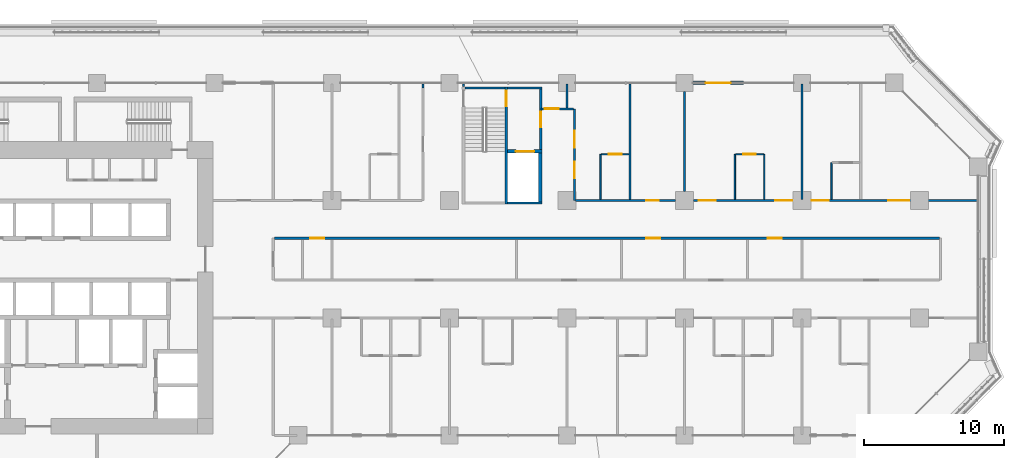
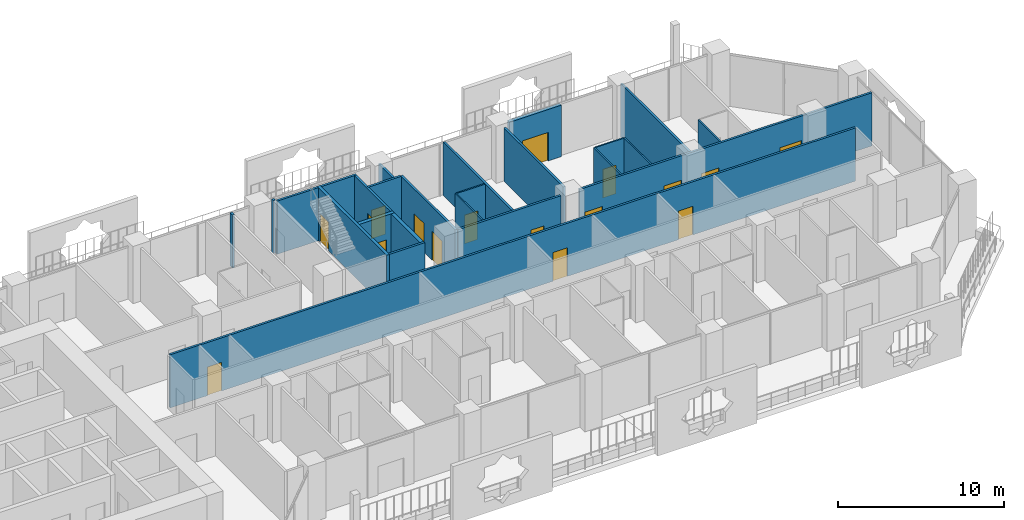
# One storey, part 19 of 29: 25 walls, 17 doors, 17 openings.
"""IFC4 building model written with IfcOpenShell, lengths in metres."""

from ifc_helpers import new_model, si_unit, direction, frame, frame_2d, origin, place, context, subcontext, project, spatial, rectangle, extrude, material, layer, layer_set, type_object, element, fill, save


model = new_model("IFC4")

# Units and contexts
model_context = context("Model", 3, precision=1e-05, world=origin(), true_north=direction((0.0, 1.0)))
body_context = subcontext(model_context, "Body", "Model", "MODEL_VIEW")
ifc_project = project(units=[si_unit("LENGTHUNIT", "METRE"), si_unit("AREAUNIT", "SQUARE_METRE"), si_unit("VOLUMEUNIT", "CUBIC_METRE"), si_unit("PLANEANGLEUNIT", "RADIAN"), si_unit("MASSUNIT", "GRAM", prefix="KILO")], contexts=[model_context])

# Site, building, storey
site_placement = place(None, origin())
site = spatial("IfcSite", under=ifc_project, at=site_placement, CompositionType="ELEMENT")
building_placement = place(site_placement, origin())
building = spatial("IfcBuilding", under=site, at=building_placement, Name="Kawkab Arch Medical Tower", CompositionType="ELEMENT")
storey_placement = place(building_placement, frame((0.0, 0.0, 64.39990234375)))
storey = spatial("IfcBuildingStorey", under=building, at=storey_placement, Name="L14", CompositionType="ELEMENT", Elevation=64.39990234375)

# Wall, opening, door
ifc_material_1 = material(Name="Gypsum board on steel studs", Category="steel")
ifc_layer_1 = layer(ifc_material_1, 0.14990234375)
ifc_layer_set_1 = layer_set([ifc_layer_1], Name="Gypsum board on steel studs")
wall_type_1 = type_object("IfcWallType", Name="Core room partition 150", PredefinedType="PARTITIONING", material=ifc_layer_set_1)
wall_1_placement = place(storey_placement, frame((48.52490234375, -4.77490234375, 0.0), z_axis=(0.0, 0.0, 1.0), x_axis=(0.0, 1.0, 0.0)))
wall_1 = element("IfcWall", 1, at=wall_1_placement, inside=storey, type_object=wall_type_1, Name="L14 core room partition", PredefinedType="PARTITIONING", context=body_context, shape_type="SweptSolid", body=[
    extrude(rectangle(XDim=4.324951171875, YDim=0.14990234375, at=frame_2d((2.16259765625, 0.0))), origin(), (0.0, 0.0, 1.0), 3.900146484375),
])
opening_1_placement = place(wall_1_placement, frame((1.625, 0.0, 0.0)))
opening_1 = element("IfcOpeningElement", 2, at=opening_1_placement, cuts=wall_1, Name="Opening FD", PredefinedType="OPENING", context=body_context, shape_type="SweptSolid", body=[
    extrude(rectangle(XDim=1.10009765625, YDim=2.10009765625, at=frame_2d((0.550048828125, 1.050048828125))), frame((0.0, 0.0849609375, 0.0), z_axis=(0.0, -1.0, 0.0), x_axis=(1.0, 0.0, 0.0)), (0.0, 0.0, 1.0), 0.169921875),
])
ifc_material_2 = material(Name="Hollow metal fire door leaf")
door_type_1 = type_object("IfcDoorType", Name="Firefighting lobby door 1100", OperationType="SINGLE_SWING_LEFT", PredefinedType="DOOR", material=ifc_material_2)
door_1_placement = place(opening_1_placement, origin())
door_1 = element("IfcDoor", 3, at=door_1_placement, inside=storey, type_object=door_type_1, Name="L14 Service lift lobby door SV1", OperationType="SINGLE_SWING_LEFT", OverallHeight=2.10009765625, OverallWidth=1.10009765625, PredefinedType="DOOR", context=body_context, shape_type="SweptSolid", body=[
    extrude(rectangle(XDim=1.10009765625, YDim=2.10009765625, at=frame_2d((0.550048828125, 1.050048828125))), frame((0.0, 0.02490234375, 0.0), z_axis=(0.0, -1.0, 0.0), x_axis=(1.0, 0.0, 0.0)), (0.0, 0.0, 1.0), 0.050048828125),
])
fill(opening_1, door_1)

ifc_material_3 = material(Name="Concrete C60/75", Category="concrete")
ifc_layer_2 = layer(ifc_material_3, 0.25)
ifc_layer_set_2 = layer_set([ifc_layer_2], Name="Concrete C60/75")
wall_type_2 = type_object("IfcWallType", Name="Core shear wall 250 C60/75", PredefinedType="SHEAR", material=ifc_layer_set_2)
wall_2_placement = place(storey_placement, frame((46.14990234375, -4.89990234375, 0.0), z_axis=(0.0, 0.0, 1.0), x_axis=(1.0, 0.0, 0.0)))
wall_2 = element("IfcWall", 4, at=wall_2_placement, inside=storey, type_object=wall_type_2, Name="L14 core shear wall", PredefinedType="SHEAR", context=body_context, shape_type="SweptSolid", body=[
    extrude(rectangle(XDim=2.4501953125, YDim=0.25, at=frame_2d((1.22509765625, 0.0))), origin(), (0.0, 0.0, 1.0), 3.900146484375),
])
opening_2_placement = place(wall_2_placement, frame((0.60009765625, 0.0, 0.0)))
opening_2 = element("IfcOpeningElement", 5, at=opening_2_placement, cuts=wall_2, Name="Opening LD2", PredefinedType="OPENING", context=body_context, shape_type="SweptSolid", body=[
    extrude(rectangle(XDim=1.300048828125, YDim=2.10009765625, at=frame_2d((0.64990234375, 1.050048828125))), frame((0.0, 0.135009765625, 0.0), z_axis=(0.0, -1.0, 0.0), x_axis=(1.0, 0.0, 0.0)), (0.0, 0.0, 1.0), 0.27001953125),
])
ifc_material_4 = material(Name="Stainless steel lift door leaf", Category="steel")
door_type_2 = type_object("IfcDoorType", Name="Lift landing door 1300", OperationType="DOUBLE_DOOR_SLIDING", PredefinedType="DOOR", material=ifc_material_4)
door_2_placement = place(opening_2_placement, origin())
door_2 = element("IfcDoor", 6, at=door_2_placement, inside=storey, type_object=door_type_2, Name="L14 Lift landing door SV1", OperationType="DOUBLE_DOOR_SLIDING", OverallHeight=2.10009765625, OverallWidth=1.300048828125, PredefinedType="DOOR", context=body_context, shape_type="SweptSolid", body=[
    extrude(rectangle(XDim=1.300048828125, YDim=2.10009765625, at=frame_2d((0.64990234375, 1.050048828125))), frame((0.0, 0.02490234375, 0.0), z_axis=(0.0, -1.0, 0.0), x_axis=(1.0, 0.0, 0.0)), (0.0, 0.0, 1.0), 0.050048828125),
])
fill(opening_2, door_2)

# Wall
wall_3_placement = place(storey_placement, frame((48.47509765625, -8.5, 0.0), z_axis=(0.0, 0.0, 1.0), x_axis=(0.0, 1.0, 0.0)))
element("IfcWall", 7, at=wall_3_placement, inside=storey, type_object=wall_type_2, Name="L14 core shear wall", PredefinedType="SHEAR", context=body_context, shape_type="SweptSolid", body=[
    extrude(rectangle(XDim=3.47509765625, YDim=0.25, at=frame_2d((1.737548828125, 0.0))), origin(), (0.0, 0.0, 1.0), 3.900146484375),
])

# Wall, opening, door
ifc_material_5 = material(Name="Bronze clad insulated wall panel")
ifc_layer_3 = layer(ifc_material_5, 0.25)
ifc_layer_set_3 = layer_set([ifc_layer_3], Name="Bronze clad insulated wall panel")
wall_type_3 = type_object("IfcWallType", Name="External wall bay 250", PredefinedType="SOLIDWALL", material=ifc_layer_set_3)
wall_4_placement = place(storey_placement, frame((63.0, 0.0, 0.0), z_axis=(0.0, 0.0, 1.0), x_axis=(-1.0, 0.0, 0.0)))
wall_4 = element("IfcWall", 8, at=wall_4_placement, inside=storey, type_object=wall_type_3, Name="External wall bay L14.R11.2.2", PredefinedType="SOLIDWALL", context=body_context, shape_type="SweptSolid", body=[
    extrude(rectangle(XDim=3.60009765625, YDim=0.25, at=frame_2d((1.800048828125, 0.0))), origin(), (0.0, 0.0, 1.0), 3.780029296875),
])
opening_3_placement = place(wall_4_placement, frame((0.89990234375, 0.0, 0.0)))
opening_3 = element("IfcOpeningElement", 9, at=opening_3_placement, cuts=wall_4, Name="Opening W14-702", PredefinedType="OPENING", context=body_context, shape_type="SweptSolid", body=[
    extrude(rectangle(XDim=1.800048828125, YDim=2.10009765625, at=frame_2d((0.89990234375, 1.050048828125))), frame((0.0, 0.135009765625, 0.0), z_axis=(0.0, -1.0, 0.0), x_axis=(1.0, 0.0, 0.0)), (0.0, 0.0, 1.0), 0.27001953125),
])
ifc_material_6 = material(Name="Bronze anodised aluminium door with tinted glass", Category="aluminium")
door_type_3 = type_object("IfcDoorType", Name="Double external door 1800 x 2100", OperationType="DOUBLE_DOOR_SINGLE_SWING", PredefinedType="DOOR", material=ifc_material_6)
door_3_placement = place(opening_3_placement, origin())
door_3 = element("IfcDoor", 10, at=door_3_placement, inside=storey, type_object=door_type_3, Name="External door L14.R11.2.2", OperationType="DOUBLE_DOOR_SINGLE_SWING", OverallHeight=2.10009765625, OverallWidth=1.800048828125, PredefinedType="DOOR", context=body_context, shape_type="SweptSolid", body=[
    extrude(rectangle(XDim=1.800048828125, YDim=2.10009765625, at=frame_2d((0.89990234375, 1.050048828125))), frame((0.0, 0.02490234375, 0.0), z_axis=(0.0, -1.0, 0.0), x_axis=(1.0, 0.0, 0.0)), (0.0, 0.0, 1.0), 0.050048828125),
])
fill(opening_3, door_3)

ifc_material_7 = material(Name="Gypsum board partition on steel studs", Category="steel")
ifc_layer_4 = layer(ifc_material_7, 0.10009765625)
ifc_layer_set_4 = layer_set([ifc_layer_4], Name="Gypsum board partition on steel studs")
wall_type_4 = type_object("IfcWallType", Name="Partition 100", PredefinedType="PARTITIONING", material=ifc_layer_set_4)
wall_5_placement = place(storey_placement, frame((52.85009765625, -5.10009765625, 0.0), z_axis=(0.0, 0.0, 1.0), x_axis=(1.0, 0.0, 0.0)))
wall_5 = element("IfcWall", 11, at=wall_5_placement, inside=storey, type_object=wall_type_4, Name="Partition 100 w017", PredefinedType="PARTITIONING", context=body_context, shape_type="SweptSolid", body=[
    extrude(rectangle(XDim=1.974853515625, YDim=0.10009765625, at=frame_2d((0.9873046875, 0.0))), origin(), (0.0, 0.0, 1.0), 3.900146484375),
])
opening_4_placement = place(wall_5_placement, frame((0.550048828125, 0.0, 0.0)))
opening_4 = element("IfcOpeningElement", 12, at=opening_4_placement, cuts=wall_5, Name="Opening W14-007", PredefinedType="OPENING", context=body_context, shape_type="SweptSolid", body=[
    extrude(rectangle(XDim=0.89990234375, YDim=2.10009765625, at=frame_2d((0.449951171875, 1.050048828125))), frame((0.0, 0.06005859375, 0.0), z_axis=(0.0, -1.0, 0.0), x_axis=(1.0, 0.0, 0.0)), (0.0, 0.0, 1.0), 0.1201171875),
])
ifc_material_8 = material(Name="Timber door leaf", Category="wood")
door_type_4 = type_object("IfcDoorType", Name="Single door 900x2100", OperationType="NOTDEFINED", PredefinedType="DOOR", material=ifc_material_8)
door_4_placement = place(opening_4_placement, origin())
door_4 = element("IfcDoor", 13, at=door_4_placement, inside=storey, type_object=door_type_4, Name="Door W14-007", OperationType="SINGLE_SWING_LEFT", OverallHeight=2.10009765625, OverallWidth=0.89990234375, PredefinedType="DOOR", context=body_context, shape_type="SweptSolid", body=[
    extrude(rectangle(XDim=0.89990234375, YDim=2.10009765625, at=frame_2d((0.449951171875, 1.050048828125))), frame((0.0, 0.02490234375, 0.0), z_axis=(0.0, -1.0, 0.0), x_axis=(1.0, 0.0, 0.0)), (0.0, 0.0, 1.0), 0.050048828125),
])
fill(opening_4, door_4)

wall_6_placement = place(storey_placement, frame((62.451904296875, -5.10009765625, 0.0), z_axis=(0.0, 0.0, 1.0), x_axis=(1.0, 0.0, 0.0)))
wall_6 = element("IfcWall", 14, at=wall_6_placement, inside=storey, type_object=wall_type_4, Name="Partition 100 w018", PredefinedType="PARTITIONING", context=body_context, shape_type="SweptSolid", body=[
    extrude(rectangle(XDim=1.99609375, YDim=0.10009765625, at=frame_2d((0.998046875, 0.0))), origin(), (0.0, 0.0, 1.0), 3.900146484375),
])
opening_5_placement = place(wall_6_placement, frame((0.548095703125, 0.0, 0.0)))
opening_5 = element("IfcOpeningElement", 15, at=opening_5_placement, cuts=wall_6, Name="Opening W14-009", PredefinedType="OPENING", context=body_context, shape_type="SweptSolid", body=[
    extrude(rectangle(XDim=0.89990234375, YDim=2.10009765625, at=frame_2d((0.449951171875, 1.050048828125))), frame((0.0, 0.06005859375, 0.0), z_axis=(0.0, -1.0, 0.0), x_axis=(1.0, 0.0, 0.0)), (0.0, 0.0, 1.0), 0.1201171875),
])
door_5_placement = place(opening_5_placement, origin())
door_5 = element("IfcDoor", 16, at=door_5_placement, inside=storey, type_object=door_type_4, Name="Door W14-009", OperationType="SINGLE_SWING_LEFT", OverallHeight=2.10009765625, OverallWidth=0.89990234375, PredefinedType="DOOR", context=body_context, shape_type="SweptSolid", body=[
    extrude(rectangle(XDim=0.89990234375, YDim=2.10009765625, at=frame_2d((0.449951171875, 1.050048828125))), frame((0.0, 0.02490234375, 0.0), z_axis=(0.0, -1.0, 0.0), x_axis=(1.0, 0.0, 0.0)), (0.0, 0.0, 1.0), 0.050048828125),
])
fill(opening_5, door_5)

# Walls
wall_7_placement = place(storey_placement, frame((52.800048828125, -8.324951171875, 0.0), z_axis=(0.0, 0.0, 1.0), x_axis=(0.0, 1.0, 0.0)))
element("IfcWall", 17, at=wall_7_placement, inside=storey, type_object=wall_type_4, Name="Partition 100 w032", PredefinedType="PARTITIONING", context=body_context, shape_type="SweptSolid", body=[
    extrude(rectangle(XDim=3.224853515625, YDim=0.10009765625, at=frame_2d((1.6123046875, 0.0))), origin(), (0.0, 0.0, 1.0), 3.900146484375),
])
wall_8_placement = place(storey_placement, frame((62.39990234375, -8.324951171875, 0.0), z_axis=(0.0, 0.0, 1.0), x_axis=(0.0, 1.0, 0.0)))
element("IfcWall", 18, at=wall_8_placement, inside=storey, type_object=wall_type_4, Name="Partition 100 w035", PredefinedType="PARTITIONING", context=body_context, shape_type="SweptSolid", body=[
    extrude(rectangle(XDim=3.223876953125, YDim=0.10009765625, at=frame_2d((1.61181640625, 0.0))), origin(), (0.0, 0.0, 1.0), 3.900146484375),
])
wall_9_placement = place(storey_placement, frame((64.5, -8.324951171875, 0.0), z_axis=(0.0, 0.0, 1.0), x_axis=(0.0, 1.0, 0.0)))
element("IfcWall", 19, at=wall_9_placement, inside=storey, type_object=wall_type_4, Name="Partition 100 w036", PredefinedType="PARTITIONING", context=body_context, shape_type="SweptSolid", body=[
    extrude(rectangle(XDim=3.222900390625, YDim=0.10009765625, at=frame_2d((1.611328125, 0.0))), origin(), (0.0, 0.0, 1.0), 3.900146484375),
])
wall_10_placement = place(storey_placement, frame((69.300048828125, -8.324951171875, 0.0), z_axis=(0.0, 0.0, 1.0), x_axis=(0.0, 1.0, 0.0)))
element("IfcWall", 20, at=wall_10_placement, inside=storey, type_object=wall_type_4, Name="Partition 100 w038", PredefinedType="PARTITIONING", context=body_context, shape_type="SweptSolid", body=[
    extrude(rectangle(XDim=2.625, YDim=0.10009765625, at=frame_2d((1.3125, 0.0))), origin(), (0.0, 0.0, 1.0), 3.900146484375),
])

# Wall, openings, doors
ifc_material_9 = material(Name="Gypsum board partition on steel studs, mineral wool", Category="steel")
ifc_layer_5 = layer(ifc_material_9, 0.14990234375)
ifc_layer_set_5 = layer_set([ifc_layer_5], Name="Gypsum board partition on steel studs, mineral wool")
wall_type_5 = type_object("IfcWallType", Name="Partition 150", PredefinedType="PARTITIONING", material=ifc_layer_set_5)
wall_11_placement = place(storey_placement, frame((29.47509765625, -11.10009765625, 0.0), z_axis=(0.0, 0.0, 1.0), x_axis=(1.0, 0.0, 0.0)))
wall_11 = element("IfcWall", 21, at=wall_11_placement, inside=storey, type_object=wall_type_5, Name="Partition 150 w065", PredefinedType="PARTITIONING", context=body_context, shape_type="SweptSolid", body=[
    extrude(rectangle(XDim=47.5498046875, YDim=0.14990234375, at=frame_2d((23.77490234375, 0.0))), origin(), (0.0, 0.0, 1.0), 3.900146484375),
])
opening_6_placement = place(wall_11_placement, frame((26.574951171875, 0.0, 0.0)))
opening_6 = element("IfcOpeningElement", 22, at=opening_6_placement, cuts=wall_11, Name="Opening W14-034", PredefinedType="OPENING", context=body_context, shape_type="SweptSolid", body=[
    extrude(rectangle(XDim=1.0, YDim=2.10009765625, at=frame_2d((0.5, 1.050048828125))), frame((0.0, 0.0849609375, 0.0), z_axis=(0.0, -1.0, 0.0), x_axis=(1.0, 0.0, 0.0)), (0.0, 0.0, 1.0), 0.169921875),
])
opening_7_placement = place(wall_11_placement, frame((35.27490234375, 0.0, 0.0)))
opening_7 = element("IfcOpeningElement", 23, at=opening_7_placement, cuts=wall_11, Name="Opening W14-036", PredefinedType="OPENING", context=body_context, shape_type="SweptSolid", body=[
    extrude(rectangle(XDim=1.0, YDim=2.10009765625, at=frame_2d((0.5, 1.050048828125))), frame((0.0, 0.0849609375, 0.0), z_axis=(0.0, -1.0, 0.0), x_axis=(1.0, 0.0, 0.0)), (0.0, 0.0, 1.0), 0.169921875),
])
opening_8_placement = place(wall_11_placement, frame((2.574951171875, 0.0, 0.0)))
opening_8 = element("IfcOpeningElement", 24, at=opening_8_placement, cuts=wall_11, Name="Opening W14-047", PredefinedType="OPENING", context=body_context, shape_type="SweptSolid", body=[
    extrude(rectangle(XDim=1.0, YDim=2.10009765625, at=frame_2d((0.5, 1.050048828125))), frame((0.0, 0.0849609375, 0.0), z_axis=(0.0, -1.0, 0.0), x_axis=(1.0, 0.0, 0.0)), (0.0, 0.0, 1.0), 0.169921875),
])
ifc_material_10 = material(Name="Hollow metal door leaf")
door_type_5 = type_object("IfcDoorType", Name="Single door 1000x2100 FD30S", OperationType="NOTDEFINED", PredefinedType="DOOR", material=ifc_material_10)
door_6_placement = place(opening_6_placement, origin())
door_6 = element("IfcDoor", 25, at=door_6_placement, inside=storey, type_object=door_type_5, Name="Door W14-034", OperationType="SINGLE_SWING_LEFT", OverallHeight=2.10009765625, OverallWidth=1.0, PredefinedType="DOOR", context=body_context, shape_type="SweptSolid", body=[
    extrude(rectangle(XDim=1.0, YDim=2.10009765625, at=frame_2d((0.5, 1.050048828125))), frame((0.0, 0.02490234375, 0.0), z_axis=(0.0, -1.0, 0.0), x_axis=(1.0, 0.0, 0.0)), (0.0, 0.0, 1.0), 0.050048828125),
])
fill(opening_6, door_6)
door_7_placement = place(opening_7_placement, origin())
door_7 = element("IfcDoor", 26, at=door_7_placement, inside=storey, type_object=door_type_5, Name="Door W14-036", OperationType="SINGLE_SWING_LEFT", OverallHeight=2.10009765625, OverallWidth=1.0, PredefinedType="DOOR", context=body_context, shape_type="SweptSolid", body=[
    extrude(rectangle(XDim=1.0, YDim=2.10009765625, at=frame_2d((0.5, 1.050048828125))), frame((0.0, 0.02490234375, 0.0), z_axis=(0.0, -1.0, 0.0), x_axis=(1.0, 0.0, 0.0)), (0.0, 0.0, 1.0), 0.050048828125),
])
fill(opening_7, door_7)
door_8_placement = place(opening_8_placement, origin())
door_8 = element("IfcDoor", 27, at=door_8_placement, inside=storey, type_object=door_type_5, Name="Door W14-047", OperationType="SINGLE_SWING_RIGHT", OverallHeight=2.10009765625, OverallWidth=1.0, PredefinedType="DOOR", context=body_context, shape_type="SweptSolid", body=[
    extrude(rectangle(XDim=1.0, YDim=2.10009765625, at=frame_2d((0.5, 1.050048828125))), frame((0.0, 0.02490234375, 0.0), z_axis=(0.0, -1.0, 0.0), x_axis=(1.0, 0.0, 0.0)), (0.0, 0.0, 1.0), 0.050048828125),
])
fill(opening_8, door_8)

# Wall, opening, door
wall_12_placement = place(storey_placement, frame((51.0, -8.39990234375, 0.0), z_axis=(0.0, 0.0, 1.0), x_axis=(1.0, 0.0, 0.0)))
wall_12 = element("IfcWall", 28, at=wall_12_placement, inside=storey, type_object=wall_type_5, Name="Partition 150 w068", PredefinedType="PARTITIONING", context=body_context, shape_type="SweptSolid", body=[
    extrude(rectangle(XDim=7.14990234375, YDim=0.14990234375, at=frame_2d((3.574951171875, 0.0))), origin(), (0.0, 0.0, 1.0), 3.900146484375),
])
opening_9_placement = place(wall_12_placement, frame((5.074951171875, 0.0, 0.0)))
opening_9 = element("IfcOpeningElement", 29, at=opening_9_placement, cuts=wall_12, Name="Opening W14-008", PredefinedType="OPENING", context=body_context, shape_type="SweptSolid", body=[
    extrude(rectangle(XDim=0.89990234375, YDim=2.10009765625, at=frame_2d((0.449951171875, 1.050048828125))), frame((0.0, 0.0849609375, 0.0), z_axis=(0.0, -1.0, 0.0), x_axis=(1.0, 0.0, 0.0)), (0.0, 0.0, 1.0), 0.169921875),
])
door_9_placement = place(opening_9_placement, origin())
door_9 = element("IfcDoor", 30, at=door_9_placement, inside=storey, type_object=door_type_4, Name="Door W14-008", OperationType="SINGLE_SWING_RIGHT", OverallHeight=2.10009765625, OverallWidth=0.89990234375, PredefinedType="DOOR", context=body_context, shape_type="SweptSolid", body=[
    extrude(rectangle(XDim=0.89990234375, YDim=2.10009765625, at=frame_2d((0.449951171875, 1.050048828125))), frame((0.0, 0.02490234375, 0.0), z_axis=(0.0, -1.0, 0.0), x_axis=(1.0, 0.0, 0.0)), (0.0, 0.0, 1.0), 0.050048828125),
])
fill(opening_9, door_9)

# Wall, openings, doors
wall_13_placement = place(storey_placement, frame((59.449951171875, -8.39990234375, 0.0), z_axis=(0.0, 0.0, 1.0), x_axis=(1.0, 0.0, 0.0)))
wall_13 = element("IfcWall", 31, at=wall_13_placement, inside=storey, type_object=wall_type_5, Name="Partition 150 w069", PredefinedType="PARTITIONING", context=body_context, shape_type="SweptSolid", body=[
    extrude(rectangle(XDim=20.27001953125, YDim=0.14990234375, at=frame_2d((10.135009765625, 0.0))), origin(), (0.0, 0.0, 1.0), 3.900146484375),
])
opening_10_placement = place(wall_13_placement, frame((0.383056640625, 0.0, 0.0)))
opening_10 = element("IfcOpeningElement", 32, at=opening_10_placement, cuts=wall_13, Name="Opening W14-053", PredefinedType="OPENING", context=body_context, shape_type="SweptSolid", body=[
    extrude(rectangle(XDim=1.199951171875, YDim=2.10009765625, at=frame_2d((0.60009765625, 1.050048828125))), frame((0.0, 0.0849609375, 0.0), z_axis=(0.0, -1.0, 0.0), x_axis=(1.0, 0.0, 0.0)), (0.0, 0.0, 1.0), 0.169921875),
])
opening_11_placement = place(wall_13_placement, frame((5.85009765625, 0.0, 0.0)))
opening_11 = element("IfcOpeningElement", 33, at=opening_11_placement, cuts=wall_13, Name="Opening W14-054", PredefinedType="OPENING", context=body_context, shape_type="SweptSolid", body=[
    extrude(rectangle(XDim=1.199951171875, YDim=2.10009765625, at=frame_2d((0.60009765625, 1.050048828125))), frame((0.0, 0.0849609375, 0.0), z_axis=(0.0, -1.0, 0.0), x_axis=(1.0, 0.0, 0.0)), (0.0, 0.0, 1.0), 0.169921875),
])
opening_12_placement = place(wall_13_placement, frame((8.449951171875, 0.0, 0.0)))
opening_12 = element("IfcOpeningElement", 34, at=opening_12_placement, cuts=wall_13, Name="Opening W14-055", PredefinedType="OPENING", context=body_context, shape_type="SweptSolid", body=[
    extrude(rectangle(XDim=1.199951171875, YDim=2.10009765625, at=frame_2d((0.60009765625, 1.050048828125))), frame((0.0, 0.0849609375, 0.0), z_axis=(0.0, -1.0, 0.0), x_axis=(1.0, 0.0, 0.0)), (0.0, 0.0, 1.0), 0.169921875),
])
opening_13_placement = place(wall_13_placement, frame((13.89990234375, 0.0, 0.0)))
opening_13 = element("IfcOpeningElement", 35, at=opening_13_placement, cuts=wall_13, Name="Opening W14-002", PredefinedType="OPENING", context=body_context, shape_type="SweptSolid", body=[
    extrude(rectangle(XDim=1.5, YDim=2.10009765625, at=frame_2d((0.75, 1.050048828125))), frame((0.0, 0.0849609375, 0.0), z_axis=(0.0, -1.0, 0.0), x_axis=(1.0, 0.0, 0.0)), (0.0, 0.0, 1.0), 0.169921875),
])
ifc_material_11 = material(Name="Hollow metal door leaf")
door_type_6 = type_object("IfcDoorType", Name="Double door 1500x2100 FD30S", OperationType="NOTDEFINED", PredefinedType="DOOR", material=ifc_material_11)
door_10_placement = place(opening_13_placement, origin())
door_10 = element("IfcDoor", 36, at=door_10_placement, inside=storey, type_object=door_type_6, Name="Door W14-002", OperationType="DOUBLE_DOOR_SINGLE_SWING", OverallHeight=2.10009765625, OverallWidth=1.5, PredefinedType="DOOR", context=body_context, shape_type="SweptSolid", body=[
    extrude(rectangle(XDim=1.5, YDim=2.10009765625, at=frame_2d((0.75, 1.050048828125))), frame((0.0, 0.02490234375, 0.0), z_axis=(0.0, -1.0, 0.0), x_axis=(1.0, 0.0, 0.0)), (0.0, 0.0, 1.0), 0.050048828125),
])
fill(opening_13, door_10)
ifc_material_12 = material(Name="Hollow metal door leaf")
door_type_7 = type_object("IfcDoorType", Name="Single door 1200x2100 FD30S", OperationType="NOTDEFINED", PredefinedType="DOOR", material=ifc_material_12)
door_11_placement = place(opening_10_placement, origin())
door_11 = element("IfcDoor", 37, at=door_11_placement, inside=storey, type_object=door_type_7, Name="Door W14-053", OperationType="SINGLE_SWING_LEFT", OverallHeight=2.10009765625, OverallWidth=1.199951171875, PredefinedType="DOOR", context=body_context, shape_type="SweptSolid", body=[
    extrude(rectangle(XDim=1.199951171875, YDim=2.10009765625, at=frame_2d((0.60009765625, 1.050048828125))), frame((0.0, 0.02490234375, 0.0), z_axis=(0.0, -1.0, 0.0), x_axis=(1.0, 0.0, 0.0)), (0.0, 0.0, 1.0), 0.050048828125),
])
fill(opening_10, door_11)
door_12_placement = place(opening_11_placement, origin())
door_12 = element("IfcDoor", 38, at=door_12_placement, inside=storey, type_object=door_type_7, Name="Door W14-054", OperationType="SINGLE_SWING_LEFT", OverallHeight=2.10009765625, OverallWidth=1.199951171875, PredefinedType="DOOR", context=body_context, shape_type="SweptSolid", body=[
    extrude(rectangle(XDim=1.199951171875, YDim=2.10009765625, at=frame_2d((0.60009765625, 1.050048828125))), frame((0.0, 0.02490234375, 0.0), z_axis=(0.0, -1.0, 0.0), x_axis=(1.0, 0.0, 0.0)), (0.0, 0.0, 1.0), 0.050048828125),
])
fill(opening_11, door_12)
door_13_placement = place(opening_12_placement, origin())
door_13 = element("IfcDoor", 39, at=door_13_placement, inside=storey, type_object=door_type_7, Name="Door W14-055", OperationType="SINGLE_SWING_LEFT", OverallHeight=2.10009765625, OverallWidth=1.199951171875, PredefinedType="DOOR", context=body_context, shape_type="SweptSolid", body=[
    extrude(rectangle(XDim=1.199951171875, YDim=2.10009765625, at=frame_2d((0.60009765625, 1.050048828125))), frame((0.0, 0.02490234375, 0.0), z_axis=(0.0, -1.0, 0.0), x_axis=(1.0, 0.0, 0.0)), (0.0, 0.0, 1.0), 0.050048828125),
])
fill(opening_12, door_13)

# Wall, opening, door
wall_14_placement = place(storey_placement, frame((48.550048828125, -1.85009765625, 0.0), z_axis=(0.0, 0.0, 1.0), x_axis=(1.0, 0.0, 0.0)))
wall_14 = element("IfcWall", 40, at=wall_14_placement, inside=storey, type_object=wall_type_5, Name="Partition 150 w070", PredefinedType="PARTITIONING", context=body_context, shape_type="SweptSolid", body=[
    extrude(rectangle(XDim=2.300048828125, YDim=0.14990234375, at=frame_2d((1.14990234375, 0.0))), origin(), (0.0, 0.0, 1.0), 3.900146484375),
])
opening_14_placement = place(wall_14_placement, frame((0.25, 0.0, 0.0)))
opening_14 = element("IfcOpeningElement", 41, at=opening_14_placement, cuts=wall_14, Name="Opening W14-032", PredefinedType="OPENING", context=body_context, shape_type="SweptSolid", body=[
    extrude(rectangle(XDim=1.0, YDim=2.10009765625, at=frame_2d((0.5, 1.050048828125))), frame((0.0, 0.0849609375, 0.0), z_axis=(0.0, -1.0, 0.0), x_axis=(1.0, 0.0, 0.0)), (0.0, 0.0, 1.0), 0.169921875),
])
door_14_placement = place(opening_14_placement, origin())
door_14 = element("IfcDoor", 42, at=door_14_placement, inside=storey, type_object=door_type_5, Name="Door W14-032", OperationType="SINGLE_SWING_LEFT", OverallHeight=2.10009765625, OverallWidth=1.0, PredefinedType="DOOR", context=body_context, shape_type="SweptSolid", body=[
    extrude(rectangle(XDim=1.0, YDim=2.10009765625, at=frame_2d((0.5, 1.050048828125))), frame((0.0, 0.02490234375, 0.0), z_axis=(0.0, -1.0, 0.0), x_axis=(1.0, 0.0, 0.0)), (0.0, 0.0, 1.0), 0.050048828125),
])
fill(opening_14, door_14)

# Walls
wall_15_placement = place(storey_placement, frame((40.10693359375, -0.35009765625, 0.0), z_axis=(0.0, 0.0, 1.0), x_axis=(0.0, 1.0, 0.0)))
element("IfcWall", 43, at=wall_15_placement, inside=storey, type_object=wall_type_5, Name="Partition 150 w089", PredefinedType="PARTITIONING", context=body_context, shape_type="SweptSolid", body=[
    extrude(rectangle(XDim=0.27001953125, YDim=0.14990234375, at=frame_2d((0.135009765625, 0.0))), origin(), (0.0, 0.0, 1.0), 3.900146484375),
])
wall_16_placement = place(storey_placement, frame((43.0, -0.27001953125, 0.0), z_axis=(0.0, 0.0, 1.0), x_axis=(0.0, 1.0, 0.0)))
element("IfcWall", 44, at=wall_16_placement, inside=storey, type_object=wall_type_5, Name="Partition 150 w091", PredefinedType="PARTITIONING", context=body_context, shape_type="SweptSolid", body=[
    extrude(rectangle(XDim=0.18994140625, YDim=0.14990234375, at=frame_2d((0.094970703125, 0.0))), origin(), (0.0, 0.0, 1.0), 3.900146484375),
])
wall_17_placement = place(storey_placement, frame((50.39990234375, -1.77490234375, 0.0), z_axis=(0.0, 0.0, 1.0), x_axis=(0.0, 1.0, 0.0)))
element("IfcWall", 45, at=wall_17_placement, inside=storey, type_object=wall_type_5, Name="Partition 150 w094", PredefinedType="PARTITIONING", context=body_context, shape_type="SweptSolid", body=[
    extrude(rectangle(XDim=1.69482421875, YDim=0.14990234375, at=frame_2d((0.847412109375, 0.0))), origin(), (0.0, 0.0, 1.0), 3.900146484375),
])

# Wall, openings, doors
wall_18_placement = place(storey_placement, frame((50.925048828125, -8.39990234375, 0.0), z_axis=(0.0, 0.0, 1.0), x_axis=(0.0, 1.0, 0.0)))
wall_18 = element("IfcWall", 46, at=wall_18_placement, inside=storey, type_object=wall_type_5, Name="Partition 150 w095", PredefinedType="PARTITIONING", context=body_context, shape_type="SweptSolid", body=[
    extrude(rectangle(XDim=6.5498046875, YDim=0.14990234375, at=frame_2d((3.27490234375, 0.0))), origin(), (0.0, 0.0, 1.0), 3.900146484375),
])
opening_15_placement = place(wall_18_placement, frame((3.76708984375, 0.0, 0.0)))
opening_15 = element("IfcOpeningElement", 47, at=opening_15_placement, cuts=wall_18, Name="Opening W14-051", PredefinedType="OPENING", context=body_context, shape_type="SweptSolid", body=[
    extrude(rectangle(XDim=1.199951171875, YDim=2.10009765625, at=frame_2d((0.60009765625, 1.050048828125))), frame((0.0, 0.0849609375, 0.0), z_axis=(0.0, -1.0, 0.0), x_axis=(1.0, 0.0, 0.0)), (0.0, 0.0, 1.0), 0.169921875),
])
opening_16_placement = place(wall_18_placement, frame((1.5830078125, 0.0, 0.0)))
opening_16 = element("IfcOpeningElement", 48, at=opening_16_placement, cuts=wall_18, Name="Opening W14-052", PredefinedType="OPENING", context=body_context, shape_type="SweptSolid", body=[
    extrude(rectangle(XDim=1.199951171875, YDim=2.10009765625, at=frame_2d((0.60009765625, 1.050048828125))), frame((0.0, 0.0849609375, 0.0), z_axis=(0.0, -1.0, 0.0), x_axis=(1.0, 0.0, 0.0)), (0.0, 0.0, 1.0), 0.169921875),
])
door_15_placement = place(opening_15_placement, origin())
door_15 = element("IfcDoor", 49, at=door_15_placement, inside=storey, type_object=door_type_7, Name="Door W14-051", OperationType="SINGLE_SWING_LEFT", OverallHeight=2.10009765625, OverallWidth=1.199951171875, PredefinedType="DOOR", context=body_context, shape_type="SweptSolid", body=[
    extrude(rectangle(XDim=1.199951171875, YDim=2.10009765625, at=frame_2d((0.60009765625, 1.050048828125))), frame((0.0, 0.02490234375, 0.0), z_axis=(0.0, -1.0, 0.0), x_axis=(1.0, 0.0, 0.0)), (0.0, 0.0, 1.0), 0.050048828125),
])
fill(opening_15, door_15)
door_16_placement = place(opening_16_placement, origin())
door_16 = element("IfcDoor", 50, at=door_16_placement, inside=storey, type_object=door_type_7, Name="Door W14-052", OperationType="SINGLE_SWING_RIGHT", OverallHeight=2.10009765625, OverallWidth=1.199951171875, PredefinedType="DOOR", context=body_context, shape_type="SweptSolid", body=[
    extrude(rectangle(XDim=1.199951171875, YDim=2.10009765625, at=frame_2d((0.60009765625, 1.050048828125))), frame((0.0, 0.02490234375, 0.0), z_axis=(0.0, -1.0, 0.0), x_axis=(1.0, 0.0, 0.0)), (0.0, 0.0, 1.0), 0.050048828125),
])
fill(opening_16, door_16)

# Walls
wall_19_placement = place(storey_placement, frame((54.89990234375, -8.324951171875, 0.0), z_axis=(0.0, 0.0, 1.0), x_axis=(0.0, 1.0, 0.0)))
element("IfcWall", 51, at=wall_19_placement, inside=storey, type_object=wall_type_5, Name="Partition 150 w098", PredefinedType="PARTITIONING", context=body_context, shape_type="SweptSolid", body=[
    extrude(rectangle(XDim=8.244873046875, YDim=0.14990234375, at=frame_2d((4.12255859375, 0.0))), origin(), (0.0, 0.0, 1.0), 3.900146484375),
])
wall_20_placement = place(storey_placement, frame((58.800048828125, -7.75, 0.0), z_axis=(0.0, 0.0, 1.0), x_axis=(0.0, 1.0, 0.0)))
element("IfcWall", 52, at=wall_20_placement, inside=storey, type_object=wall_type_5, Name="Partition 150 w101", PredefinedType="PARTITIONING", context=body_context, shape_type="SweptSolid", body=[
    extrude(rectangle(XDim=7.14990234375, YDim=0.14990234375, at=frame_2d((3.574951171875, 0.0))), origin(), (0.0, 0.0, 1.0), 3.900146484375),
])
wall_21_placement = place(storey_placement, frame((67.199951171875, -8.324951171875, 0.0), z_axis=(0.0, 0.0, 1.0), x_axis=(0.0, 1.0, 0.0)))
element("IfcWall", 53, at=wall_21_placement, inside=storey, type_object=wall_type_5, Name="Partition 150 w106", PredefinedType="PARTITIONING", context=body_context, shape_type="SweptSolid", body=[
    extrude(rectangle(XDim=8.244873046875, YDim=0.14990234375, at=frame_2d((4.12255859375, 0.0))), origin(), (0.0, 0.0, 1.0), 3.900146484375),
])
ifc_material_13 = material(Name="Concrete C50/60", Category="concrete")
ifc_layer_6 = layer(ifc_material_13, 0.14990234375)
ifc_layer_set_6 = layer_set([ifc_layer_6], Name="Concrete C50/60")
wall_type_6 = type_object("IfcWallType", Name="Stair enclosure wall 150 C50/60", PredefinedType="SHEAR", material=ifc_layer_set_6)
wall_22_placement = place(storey_placement, frame((43.10009765625, -0.375, 0.0), z_axis=(0.0, 0.0, 1.0), x_axis=(1.0, 0.0, 0.0)))
element("IfcWall", 54, at=wall_22_placement, inside=storey, type_object=wall_type_6, Name="L14 stair enclosure wall", PredefinedType="SHEAR", context=body_context, shape_type="SweptSolid", body=[
    extrude(rectangle(XDim=2.849853515625, YDim=0.14990234375, at=frame_2d((1.4248046875, 0.0))), origin(), (0.0, 0.0, 1.0), 3.900146484375),
])
for number, where, z_axis, x_axis, name in (
    (55, (46.14990234375, -0.375, 0.0), (0.0, 0.0, 1.0), (1.0, 0.0, 0.0), "L14 stair enclosure wall"),
    (56, (46.14990234375, -8.574951171875, 0.0), (0.0, 0.0, 1.0), (1.0, 0.0, 0.0), "L14 stair enclosure wall"),
):
    element("IfcWall", number, at=place(storey_placement, frame(where, z_axis=z_axis, x_axis=x_axis)), inside=storey, type_object=wall_type_6, Name=name, PredefinedType="SHEAR", context=body_context, shape_type="SweptSolid", body=[
        extrude(rectangle(XDim=2.4501953125, YDim=0.14990234375, at=frame_2d((1.22509765625, 0.0))), origin(), (0.0, 0.0, 1.0), 3.900146484375),
    ])

# Wall, opening, door
ifc_material_14 = material(Name="Concrete C50/60", Category="concrete")
ifc_layer_7 = layer(ifc_material_14, 0.199951171875)
ifc_layer_set_7 = layer_set([ifc_layer_7], Name="Concrete C50/60")
wall_type_7 = type_object("IfcWallType", Name="Stair enclosure wall 200 C50/60", PredefinedType="SHEAR", material=ifc_layer_set_7)
wall_23_placement = place(storey_placement, frame((46.050048828125, -8.64990234375, 0.0), z_axis=(0.0, 0.0, 1.0), x_axis=(0.0, 1.0, 0.0)))
wall_23 = element("IfcWall", 57, at=wall_23_placement, inside=storey, type_object=wall_type_7, Name="L14 stair enclosure wall", PredefinedType="SHEAR", context=body_context, shape_type="SweptSolid", body=[
    extrude(rectangle(XDim=8.349853515625, YDim=0.199951171875, at=frame_2d((4.1748046875, 0.0))), origin(), (0.0, 0.0, 1.0), 3.900146484375),
])
opening_17_placement = place(wall_23_placement, frame((7.0, 0.0, 0.0)))
opening_17 = element("IfcOpeningElement", 58, at=opening_17_placement, cuts=wall_23, Name="Opening SD", PredefinedType="OPENING", context=body_context, shape_type="SweptSolid", body=[
    extrude(rectangle(XDim=1.10009765625, YDim=2.10009765625, at=frame_2d((0.550048828125, 1.050048828125))), frame((0.0, 0.10986328125, 0.0), z_axis=(0.0, -1.0, 0.0), x_axis=(1.0, 0.0, 0.0)), (0.0, 0.0, 1.0), 0.219970703125),
])
ifc_material_15 = material(Name="Hollow metal fire door leaf")
door_type_8 = type_object("IfcDoorType", Name="Exit stair door 1100", OperationType="SINGLE_SWING_LEFT", PredefinedType="DOOR", material=ifc_material_15)
door_17_placement = place(opening_17_placement, origin())
door_17 = element("IfcDoor", 59, at=door_17_placement, inside=storey, type_object=door_type_8, Name="L14 Exit stair ST5 lobby door", OperationType="SINGLE_SWING_LEFT", OverallHeight=2.10009765625, OverallWidth=1.10009765625, PredefinedType="DOOR", context=body_context, shape_type="SweptSolid", body=[
    extrude(rectangle(XDim=1.10009765625, YDim=2.10009765625, at=frame_2d((0.550048828125, 1.050048828125))), frame((0.0, 0.02490234375, 0.0), z_axis=(0.0, -1.0, 0.0), x_axis=(1.0, 0.0, 0.0)), (0.0, 0.0, 1.0), 0.050048828125),
])
fill(opening_17, door_17)

save(model, "model.ifc")
